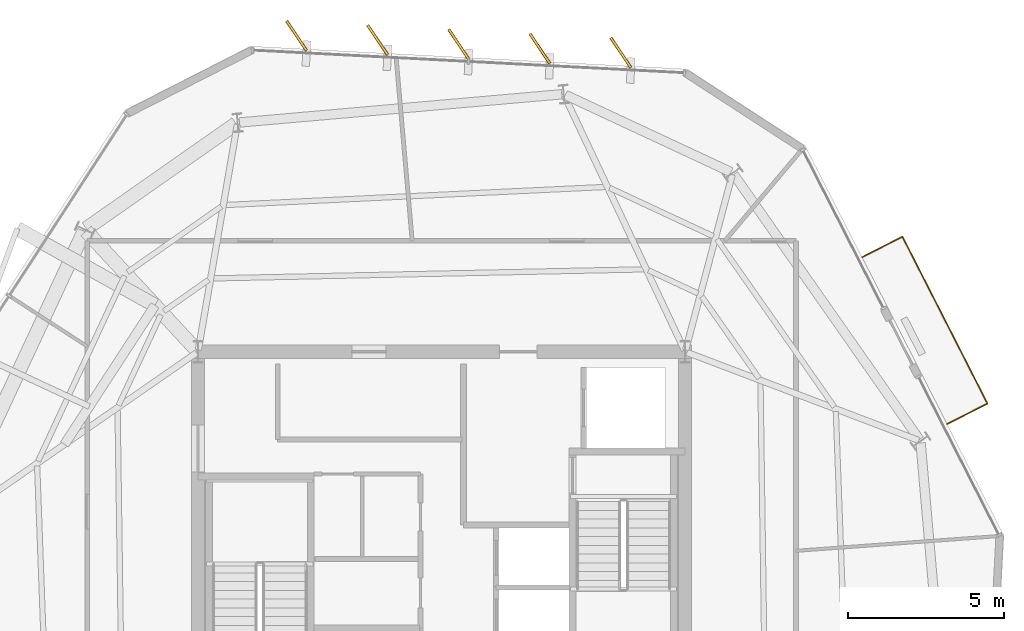
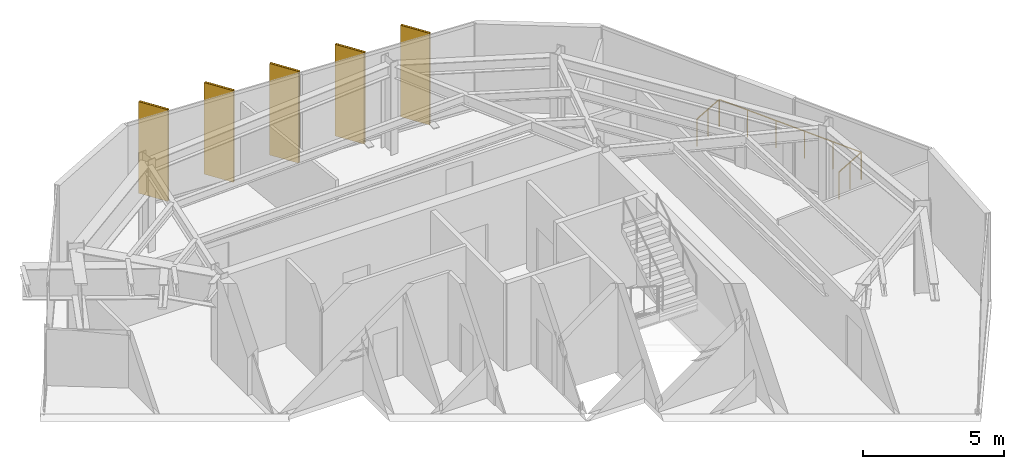
# One storey, part 11 of 11: 5 coverings, 5 shading devices, 1 railing.
"""IFC4 building model written with IfcOpenShell, lengths in metres."""

from ifc_helpers import new_model, si_unit, direction, frame, origin, origin_2d, place, context, subcontext, project, spatial, rectangle, circle, extrude, material, layer, layer_set, type_object, element, save


model = new_model("IFC4")

# Units and contexts
model_context = context("Model", 3, precision=1e-05, world=origin(), true_north=direction((0.0, 1.0)))
body_context = subcontext(model_context, "Body", "Model", "MODEL_VIEW")
ifc_project = project(units=[si_unit("LENGTHUNIT", "METRE"), si_unit("AREAUNIT", "SQUARE_METRE"), si_unit("VOLUMEUNIT", "CUBIC_METRE"), si_unit("PLANEANGLEUNIT", "RADIAN"), si_unit("MASSUNIT", "GRAM", prefix="KILO")], contexts=[model_context])

# Site, building, storey
site_placement = place(None, origin())
site = spatial("IfcSite", under=ifc_project, at=site_placement, CompositionType="ELEMENT")
building_placement = place(site_placement, origin())
building = spatial("IfcBuilding", under=site, at=building_placement, Name="Kranzbogen Civic Tower", CompositionType="ELEMENT")
storey_placement = place(building_placement, frame((0.0, 0.0, 254.199951171875)))
storey = spatial("IfcBuildingStorey", under=building, at=storey_placement, Name="L61", CompositionType="ELEMENT", Elevation=254.199951171875)

# Coverings
ifc_material_1 = material(Name="Pale Anodised Aluminium", Category="aluminium")
ifc_layer = layer(ifc_material_1, 0.02490234375, Name="Pale Anodised Aluminium")
ifc_layer_set = layer_set([ifc_layer], Name="Pale Anodised Aluminium")
covering_type = type_object("IfcCoveringType", Name="Anodised Aluminium Vertical Fin Cladding 25 mm", PredefinedType="CLADDING", material=ifc_layer_set)
for number, where, z_axis, x_axis, name in (
    (1, (30.740966796875, 41.77490234375, -0.139892578125), (0.0, 0.0, 1.0), (-0.556614649614, 0.830770805839, 0.0), "L61 vertical fin pale-metal cladding F1-1"),
    (2, (28.14501953125, 41.910888671875, -0.139892578125), (0.0, 0.0, 1.0), (-0.556614649614, 0.830770805839, 0.0), "L61 vertical fin pale-metal cladding F1-2"),
    (3, (25.548095703125, 42.047119140625, -0.139892578125), (0.0, 0.0, 1.0), (-0.556614649614, 0.830770805839, 0.0), "L61 vertical fin pale-metal cladding F1-3"),
    (4, (22.951904296875, 42.18310546875, -0.139892578125), (0.0, 0.0, 1.0), (-0.556614649614, 0.830770805839, 0.0), "L61 vertical fin pale-metal cladding F1-4"),
    (5, (20.35498046875, 42.319091796875, -0.139892578125), (0.0, 0.0, 1.0), (-0.556614649614, 0.830770805839, 0.0), "L61 vertical fin pale-metal cladding F1-5"),
):
    element("IfcCovering", number, at=place(storey_placement, frame(where, z_axis=z_axis, x_axis=x_axis)), inside=storey, type_object=covering_type, Name=name, PredefinedType="CLADDING", context=body_context, shape_type="SweptSolid", body=[
        extrude(rectangle(XDim=1.14990234375, YDim=0.094970703125, at=origin_2d()), origin(), (0.0, 0.0, 1.0), 3.9599609375),
    ])

# Railing
ifc_material_2 = material(Name="Anodised Bronze Aluminium", Category="aluminium")
railing_type = type_object("IfcRailingType", Name="Cantilevered Balcony Glass and Bronze Balustrade 1200", PredefinedType="BALUSTRADE", material=ifc_material_2)
railing_placement = place(storey_placement, frame((41.18994140625, 29.882080078125, 0.0)))
element("IfcRailing", 6, at=railing_placement, inside=storey, type_object=railing_type, Name="L61 exterior terrace balustrade L61-TB2", PredefinedType="BALUSTRADE", context=body_context, shape_type="SweptSolid", body=[
    extrude(circle(Radius=0.02392578125, at=origin_2d()), frame((0.0, 0.0, 1.17578125), z_axis=(0.891102454825, 0.453802176068, 0.0), x_axis=(-0.453802176068, 0.891102454825, 0.0)), (0.0, 0.0, 1.0), 1.449951171875),
    extrude(circle(Radius=0.02392578125, at=origin_2d()), frame((1.2919921875, 0.657958984375, 1.17578125), z_axis=(-0.453987955216, 0.891007820683, 0.0), x_axis=(-0.891007820683, -0.453987955216, 0.0)), (0.0, 0.0, 1.0), 6.0),
    extrude(circle(Radius=0.02392578125, at=origin_2d()), frame((-1.431884765625, 6.00390625, 1.17578125), z_axis=(-0.891102454825, -0.453802176068, 0.0), x_axis=(0.453802176068, -0.891102454825, 0.0)), (0.0, 0.0, 1.0), 1.449951171875),
    extrude(circle(Radius=0.02099609375, at=origin_2d()), origin(), (0.0, 0.0, 1.0), 1.15185546875),
    extrude(circle(Radius=0.02099609375, at=origin_2d()), frame((0.64599609375, 0.3291015625, 0.0)), (0.0, 0.0, 1.0), 1.15185546875),
    extrude(circle(Radius=0.02099609375, at=origin_2d()), frame((1.2919921875, 0.657958984375, 0.0)), (0.0, 0.0, 1.0), 1.15185546875),
    extrude(circle(Radius=0.02099609375, at=origin_2d()), frame((0.747314453125, 1.72705078125, 0.0)), (0.0, 0.0, 1.0), 1.15185546875),
    extrude(circle(Radius=0.02099609375, at=origin_2d()), frame((0.202392578125, 2.79638671875, 0.0)), (0.0, 0.0, 1.0), 1.15185546875),
    extrude(circle(Radius=0.02099609375, at=origin_2d()), frame((-0.34228515625, 3.865478515625, 0.0)), (0.0, 0.0, 1.0), 1.15185546875),
    extrude(circle(Radius=0.02099609375, at=origin_2d()), frame((-0.88720703125, 4.934814453125, 0.0)), (0.0, 0.0, 1.0), 1.15185546875),
    extrude(circle(Radius=0.02099609375, at=origin_2d()), frame((-1.431884765625, 6.00390625, 0.0)), (0.0, 0.0, 1.0), 1.15185546875),
    extrude(circle(Radius=0.02099609375, at=origin_2d()), frame((-2.077880859375, 5.6748046875, 0.0)), (0.0, 0.0, 1.0), 1.15185546875),
    extrude(circle(Radius=0.02099609375, at=origin_2d()), frame((-2.723876953125, 5.345947265625, 0.0)), (0.0, 0.0, 1.0), 1.15185546875),
])

# Shading devices
shading_device_type = type_object("IfcShadingDeviceType", Name="Pale Anodised Aluminium Crown Fin 1150x75", PredefinedType="USERDEFINED", material=ifc_material_1)
for number, where, z_axis, x_axis, name in (
    (7, (30.740966796875, 41.77490234375, -0.139892578125), (0.0, 0.0, 1.0), (-0.556614649614, 0.830770805839, 0.0), "L61 vertical exterior shading fin F1-1"),
    (8, (28.14501953125, 41.910888671875, -0.139892578125), (0.0, 0.0, 1.0), (-0.556614649614, 0.830770805839, 0.0), "L61 vertical exterior shading fin F1-2"),
    (9, (25.548095703125, 42.047119140625, -0.139892578125), (0.0, 0.0, 1.0), (-0.556614649614, 0.830770805839, 0.0), "L61 vertical exterior shading fin F1-3"),
    (10, (22.951904296875, 42.18310546875, -0.139892578125), (0.0, 0.0, 1.0), (-0.556614649614, 0.830770805839, 0.0), "L61 vertical exterior shading fin F1-4"),
    (11, (20.35498046875, 42.319091796875, -0.139892578125), (0.0, 0.0, 1.0), (-0.556614649614, 0.830770805839, 0.0), "L61 vertical exterior shading fin F1-5"),
):
    element("IfcShadingDevice", number, at=place(storey_placement, frame(where, z_axis=z_axis, x_axis=x_axis)), inside=storey, type_object=shading_device_type, Name=name, ObjectType="FIN", PredefinedType="USERDEFINED", context=body_context, shape_type="SweptSolid", body=[
        extrude(rectangle(XDim=1.14990234375, YDim=0.074951171875, at=origin_2d()), origin(), (0.0, 0.0, 1.0), 3.9599609375),
    ])

save(model, "model.ifc")
